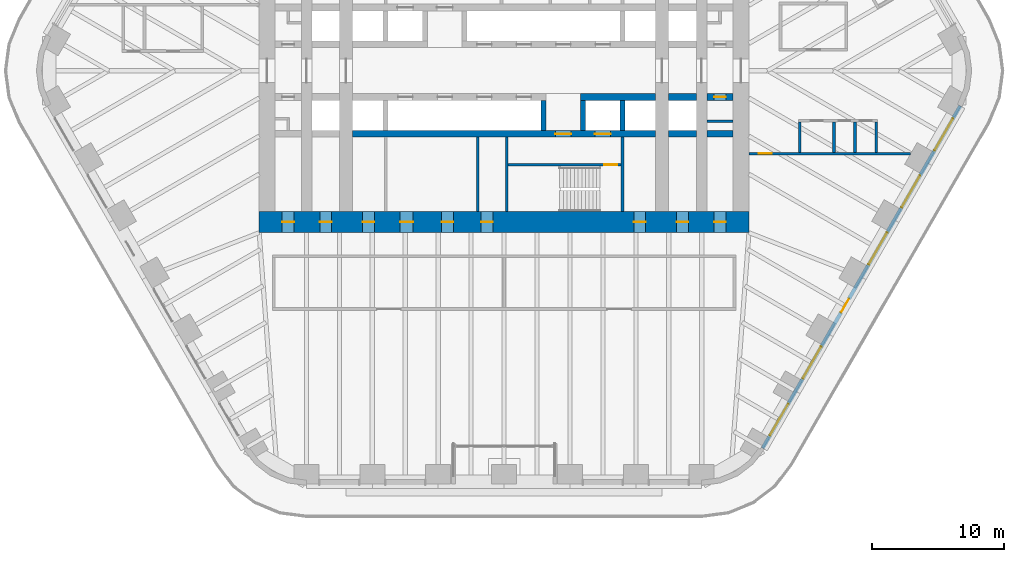
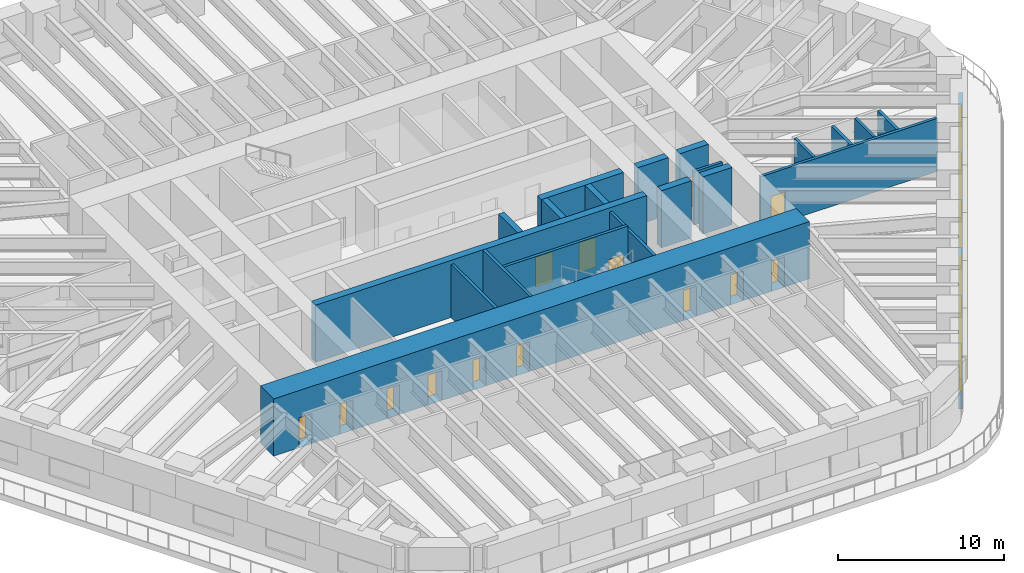
# One storey, part 13 of 19: 21 walls, 15 doors, 5 windows, 20 openings.
"""IFC4 building model written with IfcOpenShell, lengths in metres."""

from ifc_helpers import new_model, si_unit, direction, frame, frame_2d, origin, place, context, subcontext, project, spatial, rectangle, extrude, material, layer, layer_set, type_object, element, fill, save


model = new_model("IFC4")

# Units and contexts
model_context = context("Model", 3, precision=1e-05, world=origin(), true_north=direction((0.0, 1.0)))
body_context = subcontext(model_context, "Body", "Model", "MODEL_VIEW")
ifc_project = project(units=[si_unit("LENGTHUNIT", "METRE"), si_unit("AREAUNIT", "SQUARE_METRE"), si_unit("VOLUMEUNIT", "CUBIC_METRE"), si_unit("PLANEANGLEUNIT", "RADIAN"), si_unit("MASSUNIT", "GRAM", prefix="KILO")], contexts=[model_context])

# Site, building, storey
site_placement = place(None, origin())
site = spatial("IfcSite", under=ifc_project, at=site_placement, CompositionType="ELEMENT")
building_placement = place(site_placement, origin())
building = spatial("IfcBuilding", under=site, at=building_placement, Name="Tarfa Lantern Tower", CompositionType="ELEMENT")
storey_placement = place(building_placement, frame((0.0, 0.0, 199.300048828125)))
storey = spatial("IfcBuildingStorey", under=building, at=storey_placement, Name="L45", CompositionType="ELEMENT", Elevation=199.300048828125)

# Wall, openings, door, windows
ifc_material_1 = material(Name="Limestone cladding on blockwork", Category="masonry")
ifc_layer_1 = layer(ifc_material_1, 0.300048828125)
ifc_layer_set_1 = layer_set([ifc_layer_1], Name="EW1 STONE-CLAD WALL 300")
wall_type_1 = type_object("IfcWallType", Name="EW1 STONE-CLAD WALL 300", PredefinedType="SOLIDWALL", material=ifc_layer_set_1)
wall_1_placement = place(storey_placement, frame((19.644287109375, -28.675048828125, 0.0), z_axis=(0.0, 0.0, 1.0), x_axis=(0.500003084452, 0.866023622968, 0.0)))
wall_1 = element("IfcWall", 1, at=wall_1_placement, inside=storey, type_object=wall_type_1, Name="Stone wall SE", PredefinedType="SOLIDWALL", context=body_context, shape_type="SweptSolid", body=[
    extrude(rectangle(XDim=30.022216796875, YDim=0.300048828125, at=frame_2d((15.01123046875, 0.0))), origin(), (0.0, 0.0, 1.0), 2.199951171875),
])
opening_1_placement = place(wall_1_placement, frame((1.101806640625, 0.0, 0.60009765625)))
opening_1 = element("IfcOpeningElement", 2, at=opening_1_placement, cuts=wall_1, Name="Opening W10", PredefinedType="OPENING", context=body_context, shape_type="SweptSolid", body=[
    extrude(rectangle(XDim=2.800048828125, YDim=1.35009765625, at=frame_2d((1.39990234375, 0.675048828125))), frame((0.0, 0.159912109375, 0.0), z_axis=(0.0, -1.0, 0.0), x_axis=(1.0, 0.0, 0.0)), (0.0, 0.0, 1.0), 0.320068359375),
])
opening_2_placement = place(wall_1_placement, frame((6.10546875, 0.0, 0.60009765625)))
opening_2 = element("IfcOpeningElement", 3, at=opening_2_placement, cuts=wall_1, Name="Opening W10", PredefinedType="OPENING", context=body_context, shape_type="SweptSolid", body=[
    extrude(rectangle(XDim=2.800048828125, YDim=1.35009765625, at=frame_2d((1.39990234375, 0.675048828125))), frame((0.0, 0.159912109375, 0.0), z_axis=(0.0, -1.0, 0.0), x_axis=(1.0, 0.0, 0.0)), (0.0, 0.0, 1.0), 0.320068359375),
])
opening_3_placement = place(wall_1_placement, frame((11.9091796875, 0.0, 0.0)))
opening_3 = element("IfcOpeningElement", 4, at=opening_3_placement, cuts=wall_1, Name="Opening D50", PredefinedType="OPENING", context=body_context, shape_type="SweptSolid", body=[
    extrude(rectangle(XDim=1.199951171875, YDim=2.10009765625, at=frame_2d((0.60009765625, 1.050048828125))), frame((0.0, 0.159912109375, 0.0), z_axis=(0.0, -1.0, 0.0), x_axis=(1.0, 0.0, 0.0)), (0.0, 0.0, 1.0), 0.320068359375),
])
opening_4_placement = place(wall_1_placement, frame((16.113037109375, 0.0, 0.60009765625)))
opening_4 = element("IfcOpeningElement", 5, at=opening_4_placement, cuts=wall_1, Name="Opening W10", PredefinedType="OPENING", context=body_context, shape_type="SweptSolid", body=[
    extrude(rectangle(XDim=2.800048828125, YDim=1.35009765625, at=frame_2d((1.39990234375, 0.675048828125))), frame((0.0, 0.159912109375, 0.0), z_axis=(0.0, -1.0, 0.0), x_axis=(1.0, 0.0, 0.0)), (0.0, 0.0, 1.0), 0.320068359375),
])
opening_5_placement = place(wall_1_placement, frame((21.11669921875, 0.0, 0.60009765625)))
opening_5 = element("IfcOpeningElement", 6, at=opening_5_placement, cuts=wall_1, Name="Opening W10", PredefinedType="OPENING", context=body_context, shape_type="SweptSolid", body=[
    extrude(rectangle(XDim=2.800048828125, YDim=1.35009765625, at=frame_2d((1.39990234375, 0.675048828125))), frame((0.0, 0.159912109375, 0.0), z_axis=(0.0, -1.0, 0.0), x_axis=(1.0, 0.0, 0.0)), (0.0, 0.0, 1.0), 0.320068359375),
])
opening_6_placement = place(wall_1_placement, frame((26.120361328125, 0.0, 0.60009765625)))
opening_6 = element("IfcOpeningElement", 7, at=opening_6_placement, cuts=wall_1, Name="Opening W10", PredefinedType="OPENING", context=body_context, shape_type="SweptSolid", body=[
    extrude(rectangle(XDim=2.800048828125, YDim=1.35009765625, at=frame_2d((1.39990234375, 0.675048828125))), frame((0.0, 0.159912109375, 0.0), z_axis=(0.0, -1.0, 0.0), x_axis=(1.0, 0.0, 0.0)), (0.0, 0.0, 1.0), 0.320068359375),
])
ifc_material_2 = material(Name="Aluminium framed glazed door", Category="aluminium")
door_type_1 = type_object("IfcDoorType", Name="BE4 BALCONY DOOR 1200x2100", OperationType="SINGLE_SWING_RIGHT", PredefinedType="DOOR", material=ifc_material_2)
door_1_placement = place(opening_3_placement, origin())
door_1 = element("IfcDoor", 8, at=door_1_placement, inside=storey, type_object=door_type_1, Name="Balcony door SE", OperationType="SINGLE_SWING_RIGHT", OverallHeight=2.10009765625, OverallWidth=1.199951171875, PredefinedType="DOOR", context=body_context, shape_type="SweptSolid", body=[
    extrude(rectangle(XDim=1.199951171875, YDim=2.10009765625, at=frame_2d((0.60009765625, 1.050048828125))), frame((0.0, 0.02490234375, 0.0), z_axis=(0.0, -1.0, 0.0), x_axis=(1.0, 0.0, 0.0)), (0.0, 0.0, 1.0), 0.050048828125),
])
fill(opening_3, door_1)
ifc_material_3 = material(Name="Aluminium frame, double glazed", Category="aluminium")
window_type = type_object("IfcWindowType", Name="W10 FULL-HEIGHT GLAZING 2800x1350", PartitioningType="SINGLE_PANEL", PredefinedType="WINDOW", material=ifc_material_3)
window_1_placement = place(opening_1_placement, origin())
window_1 = element("IfcWindow", 9, at=window_1_placement, inside=storey, type_object=window_type, Name="Window SE 1", OverallHeight=1.35009765625, OverallWidth=2.800048828125, PartitioningType="SINGLE_PANEL", PredefinedType="WINDOW", context=body_context, shape_type="SweptSolid", body=[
    extrude(rectangle(XDim=2.800048828125, YDim=1.35009765625, at=frame_2d((1.39990234375, 0.675048828125))), frame((0.0, 0.030029296875, 0.0), z_axis=(0.0, -1.0, 0.0), x_axis=(1.0, 0.0, 0.0)), (0.0, 0.0, 1.0), 0.06005859375),
])
fill(opening_1, window_1)
window_2_placement = place(opening_2_placement, origin())
window_2 = element("IfcWindow", 10, at=window_2_placement, inside=storey, type_object=window_type, Name="Window SE 2", OverallHeight=1.35009765625, OverallWidth=2.800048828125, PartitioningType="SINGLE_PANEL", PredefinedType="WINDOW", context=body_context, shape_type="SweptSolid", body=[
    extrude(rectangle(XDim=2.800048828125, YDim=1.35009765625, at=frame_2d((1.39990234375, 0.675048828125))), frame((0.0, 0.030029296875, 0.0), z_axis=(0.0, -1.0, 0.0), x_axis=(1.0, 0.0, 0.0)), (0.0, 0.0, 1.0), 0.06005859375),
])
fill(opening_2, window_2)
window_3_placement = place(opening_4_placement, origin())
window_3 = element("IfcWindow", 11, at=window_3_placement, inside=storey, type_object=window_type, Name="Window SE 4", OverallHeight=1.35009765625, OverallWidth=2.800048828125, PartitioningType="SINGLE_PANEL", PredefinedType="WINDOW", context=body_context, shape_type="SweptSolid", body=[
    extrude(rectangle(XDim=2.800048828125, YDim=1.35009765625, at=frame_2d((1.39990234375, 0.675048828125))), frame((0.0, 0.030029296875, 0.0), z_axis=(0.0, -1.0, 0.0), x_axis=(1.0, 0.0, 0.0)), (0.0, 0.0, 1.0), 0.06005859375),
])
fill(opening_4, window_3)
window_4_placement = place(opening_5_placement, origin())
window_4 = element("IfcWindow", 12, at=window_4_placement, inside=storey, type_object=window_type, Name="Window SE 5", OverallHeight=1.35009765625, OverallWidth=2.800048828125, PartitioningType="SINGLE_PANEL", PredefinedType="WINDOW", context=body_context, shape_type="SweptSolid", body=[
    extrude(rectangle(XDim=2.800048828125, YDim=1.35009765625, at=frame_2d((1.39990234375, 0.675048828125))), frame((0.0, 0.030029296875, 0.0), z_axis=(0.0, -1.0, 0.0), x_axis=(1.0, 0.0, 0.0)), (0.0, 0.0, 1.0), 0.06005859375),
])
fill(opening_5, window_4)
window_5_placement = place(opening_6_placement, origin())
window_5 = element("IfcWindow", 13, at=window_5_placement, inside=storey, type_object=window_type, Name="Window SE 6", OverallHeight=1.35009765625, OverallWidth=2.800048828125, PartitioningType="SINGLE_PANEL", PredefinedType="WINDOW", context=body_context, shape_type="SweptSolid", body=[
    extrude(rectangle(XDim=2.800048828125, YDim=1.35009765625, at=frame_2d((1.39990234375, 0.675048828125))), frame((0.0, 0.030029296875, 0.0), z_axis=(0.0, -1.0, 0.0), x_axis=(1.0, 0.0, 0.0)), (0.0, 0.0, 1.0), 0.06005859375),
])
fill(opening_6, window_5)

# Walls
ifc_material_4 = material(Name="Concrete blockwork", Category="masonry")
ifc_layer_2 = layer(ifc_material_4, 0.199951171875)
ifc_layer_set_2 = layer_set([ifc_layer_2], Name="IW1 BLOCKWORK PARTITION 200 EI 120")
wall_type_2 = type_object("IfcWallType", Name="IW1 BLOCKWORK PARTITION 200 EI 120", PredefinedType="PARTITIONING", material=ifc_layer_set_2)
for number, where, z_axis, x_axis, name in (
    (14, (9.0, -5.050048828125, 0.0), (0.0, 0.0, 1.0), (0.0, -1.0, 0.0), "Core partition"),
    (15, (-2.0, -5.050048828125, 0.0), (0.0, 0.0, 1.0), (0.0, -1.0, 0.0), "Core partition"),
):
    element("IfcWall", number, at=place(storey_placement, frame(where, z_axis=z_axis, x_axis=x_axis)), inside=storey, type_object=wall_type_2, Name=name, PredefinedType="PARTITIONING", context=body_context, shape_type="SweptSolid", body=[
        extrude(rectangle(XDim=5.64990234375, YDim=0.199951171875, at=frame_2d((2.824951171875, 0.0))), origin(), (0.0, 0.0, 1.0), 3.89990234375),
    ])
wall_2_placement = place(storey_placement, frame((17.39990234375, -3.85009765625, 0.0), z_axis=(0.0, 0.0, 1.0), x_axis=(-1.0, 0.0, 0.0)))
element("IfcWall", 16, at=wall_2_placement, inside=storey, type_object=wall_type_2, Name="Core partition", PredefinedType="PARTITIONING", context=body_context, shape_type="SweptSolid", body=[
    extrude(rectangle(XDim=2.0, YDim=0.199951171875, at=frame_2d((1.0, 0.0))), origin(), (0.0, 0.0, 1.0), 3.89990234375),
])

# Wall, opening, door
ifc_material_5 = material(Name="Gypsum board on steel studs", Category="steel")
ifc_layer_3 = layer(ifc_material_5, 0.2099609375)
ifc_layer_set_3 = layer_set([ifc_layer_3], Name="IW2 ACOUSTIC PARTITION 200")
wall_type_3 = type_object("IfcWallType", Name="IW2 ACOUSTIC PARTITION 200", PredefinedType="PARTITIONING", material=ifc_layer_set_3)
wall_3_placement = place(storey_placement, frame((18.60009765625, -6.300048828125, 0.0), z_axis=(0.0, 0.0, 1.0), x_axis=(1.0, 0.0, 0.0)))
wall_3 = element("IfcWall", 17, at=wall_3_placement, inside=storey, type_object=wall_type_3, Name="Partition", PredefinedType="PARTITIONING", context=body_context, shape_type="SweptSolid", body=[
    extrude(rectangle(XDim=12.2880859375, YDim=0.199951171875, at=frame_2d((6.14404296875, 0.0))), origin(), (0.0, 0.0, 1.0), 3.89990234375),
])
opening_7_placement = place(wall_3_placement, frame((0.728759765625, 0.0, 0.0)))
opening_7 = element("IfcOpeningElement", 18, at=opening_7_placement, cuts=wall_3, Name="Opening D48", PredefinedType="OPENING", context=body_context, shape_type="SweptSolid", body=[
    extrude(rectangle(XDim=1.0, YDim=2.199951171875, at=frame_2d((0.5, 1.10009765625))), frame((0.0, 0.10986328125, 0.0), z_axis=(0.0, -1.0, 0.0), x_axis=(1.0, 0.0, 0.0)), (0.0, 0.0, 1.0), 0.219970703125),
])
ifc_material_6 = material(Name="Timber door", Category="wood")
door_type_2 = type_object("IfcDoorType", Name="DR1 ROOM DOOR 1000x2200", OperationType="SINGLE_SWING_LEFT", PredefinedType="DOOR", material=ifc_material_6)
door_2_placement = place(opening_7_placement, origin())
door_2 = element("IfcDoor", 19, at=door_2_placement, inside=storey, type_object=door_type_2, Name="Zone door", OperationType="SINGLE_SWING_RIGHT", OverallHeight=2.199951171875, OverallWidth=1.0, PredefinedType="DOOR", context=body_context, shape_type="SweptSolid", body=[
    extrude(rectangle(XDim=1.0, YDim=2.199951171875, at=frame_2d((0.5, 1.10009765625))), frame((0.0, 0.02490234375, 0.0), z_axis=(0.0, -1.0, 0.0), x_axis=(1.0, 0.0, 0.0)), (0.0, 0.0, 1.0), 0.050048828125),
])
fill(opening_7, door_2)

# Walls
for number, where, z_axis, x_axis, name in (
    (20, (22.45849609375, -6.199951171875, 0.0), (0.0, 0.0, 1.0), (0.0, 1.0, 0.0), "Partition"),
    (21, (25.05859375, -6.199951171875, 0.0), (0.0, 0.0, 1.0), (0.0, 1.0, 0.0), "Partition"),
    (22, (26.658447265625, -6.199951171875, 0.0), (0.0, 0.0, 1.0), (0.0, 1.0, 0.0), "Partition"),
    (23, (28.258544921875, -6.199951171875, 0.0), (0.0, 0.0, 1.0), (0.0, 1.0, 0.0), "Partition"),
):
    element("IfcWall", number, at=place(storey_placement, frame(where, z_axis=z_axis, x_axis=x_axis)), inside=storey, type_object=wall_type_3, Name=name, PredefinedType="PARTITIONING", context=body_context, shape_type="SweptSolid", body=[
        extrude(rectangle(XDim=2.300048828125, YDim=0.199951171875, at=frame_2d((1.14990234375, 0.0))), origin(), (0.0, 0.0, 1.0), 3.89990234375),
    ])
ifc_material_7 = material(Name="Concrete C80/95", Category="concrete")
ifc_layer_4 = layer(ifc_material_7, 0.199951171875)
ifc_layer_set_4 = layer_set([ifc_layer_4], Name="SW12 CORE WALL 200")
wall_type_4 = type_object("IfcWallType", Name="SW12 CORE WALL 200", PredefinedType="SHEAR", material=ifc_layer_set_4)
wall_4_placement = place(storey_placement, frame((0.199951171875, -5.050048828125, 0.0), z_axis=(0.0, 0.0, 1.0), x_axis=(0.0, -1.0, 0.0)))
element("IfcWall", 24, at=wall_4_placement, inside=storey, type_object=wall_type_4, Name="Core wall stair shaft S", PredefinedType="SHEAR", context=body_context, shape_type="SweptSolid", body=[
    extrude(rectangle(XDim=5.64990234375, YDim=0.199951171875, at=frame_2d((2.824951171875, 0.0))), origin(), (0.0, 0.0, 1.0), 4.199951171875),
])

# Wall, opening, door
wall_5_placement = place(storey_placement, frame((8.89990234375, -7.14990234375, 0.0), z_axis=(0.0, 0.0, 1.0), x_axis=(-1.0, 0.0, 0.0)))
wall_5 = element("IfcWall", 25, at=wall_5_placement, inside=storey, type_object=wall_type_4, Name="Core wall stair partition S", PredefinedType="SHEAR", context=body_context, shape_type="SweptSolid", body=[
    extrude(rectangle(XDim=8.599853515625, YDim=0.199951171875, at=frame_2d((4.2998046875, 0.0))), origin(), (0.0, 0.0, 1.0), 4.199951171875),
])
opening_8_placement = place(wall_5_placement, frame((0.300048828125, 0.0, 0.0)))
opening_8 = element("IfcOpeningElement", 26, at=opening_8_placement, cuts=wall_5, Name="Opening D28", PredefinedType="OPENING", context=body_context, shape_type="SweptSolid", body=[
    extrude(rectangle(XDim=1.0, YDim=2.199951171875, at=frame_2d((0.5, 1.10009765625))), frame((0.0, 0.10986328125, 0.0), z_axis=(0.0, -1.0, 0.0), x_axis=(1.0, 0.0, 0.0)), (0.0, 0.0, 1.0), 0.219970703125),
])
ifc_material_8 = material(Name="Steel fire door", Category="steel")
door_type_3 = type_object("IfcDoorType", Name="DF2 STAIR DOOR 1000x2200", OperationType="SINGLE_SWING_LEFT", PredefinedType="DOOR", material=ifc_material_8)
door_3_placement = place(opening_8_placement, origin())
door_3 = element("IfcDoor", 27, at=door_3_placement, inside=storey, type_object=door_type_3, Name="Stair door", OperationType="SINGLE_SWING_RIGHT", OverallHeight=2.199951171875, OverallWidth=1.0, PredefinedType="DOOR", context=body_context, shape_type="SweptSolid", body=[
    extrude(rectangle(XDim=1.0, YDim=2.199951171875, at=frame_2d((0.5, 1.10009765625))), frame((0.0, 0.02490234375, 0.0), z_axis=(0.0, -1.0, 0.0), x_axis=(1.0, 0.0, 0.0)), (0.0, 0.0, 1.0), 0.050048828125),
])
fill(opening_8, door_3)

ifc_layer_5 = layer(ifc_material_7, 0.5)
ifc_layer_set_5 = layer_set([ifc_layer_5], Name="SW5 CORE WALL 500")
wall_type_5 = type_object("IfcWallType", Name="SW5 CORE WALL 500", PredefinedType="SHEAR", material=ifc_layer_set_5)
wall_6_placement = place(storey_placement, frame((17.39990234375, -2.0, 0.0), z_axis=(0.0, 0.0, 1.0), x_axis=(-1.0, 0.0, 0.0)))
wall_6 = element("IfcWall", 28, at=wall_6_placement, inside=storey, type_object=wall_type_5, Name="Core wall lobby west S", PredefinedType="SHEAR", context=body_context, shape_type="SweptSolid", body=[
    extrude(rectangle(XDim=2.0, YDim=0.5, at=frame_2d((1.0, 0.0))), origin(), (0.0, 0.0, 1.0), 4.199951171875),
])
opening_9_placement = place(wall_6_placement, frame((0.550048828125, 0.0, 0.0)))
opening_9 = element("IfcOpeningElement", 29, at=opening_9_placement, cuts=wall_6, Name="Opening D20", PredefinedType="OPENING", context=body_context, shape_type="SweptSolid", body=[
    extrude(rectangle(XDim=0.89990234375, YDim=2.199951171875, at=frame_2d((0.449951171875, 1.10009765625))), frame((0.0, 0.260009765625, 0.0), z_axis=(0.0, -1.0, 0.0), x_axis=(1.0, 0.0, 0.0)), (0.0, 0.0, 1.0), 0.52001953125),
])
door_type_4 = type_object("IfcDoorType", Name="DF6 SERVICE ROOM DOOR 900x2200", OperationType="SINGLE_SWING_LEFT", PredefinedType="DOOR", material=ifc_material_8)
door_4_placement = place(opening_9_placement, origin())
door_4 = element("IfcDoor", 30, at=door_4_placement, inside=storey, type_object=door_type_4, Name="Service room door", OperationType="SINGLE_SWING_LEFT", OverallHeight=2.199951171875, OverallWidth=0.89990234375, PredefinedType="DOOR", context=body_context, shape_type="SweptSolid", body=[
    extrude(rectangle(XDim=0.89990234375, YDim=2.199951171875, at=frame_2d((0.449951171875, 1.10009765625))), frame((0.0, 0.02490234375, 0.0), z_axis=(0.0, -1.0, 0.0), x_axis=(1.0, 0.0, 0.0)), (0.0, 0.0, 1.0), 0.050048828125),
])
fill(opening_9, door_4)

# Walls
wall_7_placement = place(storey_placement, frame((14.60009765625, -2.0, 0.0), z_axis=(0.0, 0.0, 1.0), x_axis=(-1.0, 0.0, 0.0)))
element("IfcWall", 31, at=wall_7_placement, inside=storey, type_object=wall_type_5, Name="Core wall lobby west S", PredefinedType="SHEAR", context=body_context, shape_type="SweptSolid", body=[
    extrude(rectangle(XDim=2.10009765625, YDim=0.5, at=frame_2d((1.050048828125, 0.0))), origin(), (0.0, 0.0, 1.0), 4.199951171875),
])
wall_8_placement = place(storey_placement, frame((11.5, -2.0, 0.0), z_axis=(0.0, 0.0, 1.0), x_axis=(-1.0, 0.0, 0.0)))
element("IfcWall", 32, at=wall_8_placement, inside=storey, type_object=wall_type_5, Name="Core wall lobby west S", PredefinedType="SHEAR", context=body_context, shape_type="SweptSolid", body=[
    extrude(rectangle(XDim=5.699951171875, YDim=0.5, at=frame_2d((2.85009765625, 0.0))), origin(), (0.0, 0.0, 1.0), 4.199951171875),
])
wall_9_placement = place(storey_placement, frame((17.39990234375, -4.800048828125, 0.0), z_axis=(0.0, 0.0, 1.0), x_axis=(-1.0, 0.0, 0.0)))
element("IfcWall", 33, at=wall_9_placement, inside=storey, type_object=wall_type_5, Name="Core wall rear S", PredefinedType="SHEAR", context=body_context, shape_type="SweptSolid", body=[
    extrude(rectangle(XDim=2.0, YDim=0.5, at=frame_2d((1.0, 0.0))), origin(), (0.0, 0.0, 1.0), 4.199951171875),
])
wall_10_placement = place(storey_placement, frame((14.60009765625, -4.800048828125, 0.0), z_axis=(0.0, 0.0, 1.0), x_axis=(-1.0, 0.0, 0.0)))
element("IfcWall", 34, at=wall_10_placement, inside=storey, type_object=wall_type_5, Name="Core wall rear S", PredefinedType="SHEAR", context=body_context, shape_type="SweptSolid", body=[
    extrude(rectangle(XDim=2.10009765625, YDim=0.5, at=frame_2d((1.050048828125, 0.0))), origin(), (0.0, 0.0, 1.0), 4.199951171875),
])

# Wall, openings, doors
wall_11_placement = place(storey_placement, frame((11.5, -4.800048828125, 0.0), z_axis=(0.0, 0.0, 1.0), x_axis=(-1.0, 0.0, 0.0)))
wall_11 = element("IfcWall", 35, at=wall_11_placement, inside=storey, type_object=wall_type_5, Name="Core wall rear S", PredefinedType="SHEAR", context=body_context, shape_type="SweptSolid", body=[
    extrude(rectangle(XDim=23.0, YDim=0.5, at=frame_2d((11.5, 0.0))), origin(), (0.0, 0.0, 1.0), 4.199951171875),
])
opening_10_placement = place(wall_11_placement, frame((6.39990234375, 0.0, 0.0)))
opening_10 = element("IfcOpeningElement", 36, at=opening_10_placement, cuts=wall_11, Name="Opening D14", PredefinedType="OPENING", context=body_context, shape_type="SweptSolid", body=[
    extrude(rectangle(XDim=1.199951171875, YDim=2.199951171875, at=frame_2d((0.60009765625, 1.10009765625))), frame((0.0, 0.260009765625, 0.0), z_axis=(0.0, -1.0, 0.0), x_axis=(1.0, 0.0, 0.0)), (0.0, 0.0, 1.0), 0.52001953125),
])
opening_11_placement = place(wall_11_placement, frame((3.39990234375, 0.0, 0.0)))
opening_11 = element("IfcOpeningElement", 37, at=opening_11_placement, cuts=wall_11, Name="Opening LD02", PredefinedType="OPENING", context=body_context, shape_type="SweptSolid", body=[
    extrude(rectangle(XDim=1.199951171875, YDim=2.199951171875, at=frame_2d((0.60009765625, 1.10009765625))), frame((0.0, 0.260009765625, 0.0), z_axis=(0.0, -1.0, 0.0), x_axis=(1.0, 0.0, 0.0)), (0.0, 0.0, 1.0), 0.52001953125),
])
door_type_5 = type_object("IfcDoorType", Name="DF1 FIREFIGHTING LOBBY DOOR 1200x2200", OperationType="SINGLE_SWING_LEFT", PredefinedType="DOOR", material=ifc_material_8)
door_5_placement = place(opening_10_placement, origin())
door_5 = element("IfcDoor", 38, at=door_5_placement, inside=storey, type_object=door_type_5, Name="Firefighting lobby door", OperationType="SINGLE_SWING_LEFT", OverallHeight=2.199951171875, OverallWidth=1.199951171875, PredefinedType="DOOR", context=body_context, shape_type="SweptSolid", body=[
    extrude(rectangle(XDim=1.199951171875, YDim=2.199951171875, at=frame_2d((0.60009765625, 1.10009765625))), frame((0.0, 0.02490234375, 0.0), z_axis=(0.0, -1.0, 0.0), x_axis=(1.0, 0.0, 0.0)), (0.0, 0.0, 1.0), 0.050048828125),
])
fill(opening_10, door_5)
ifc_material_9 = material(Name="Stainless steel lift door", Category="steel")
door_type_6 = type_object("IfcDoorType", Name="LD1 LIFT LANDING DOOR 1200x2200", OperationType="SLIDING_TO_LEFT", PredefinedType="DOOR", material=ifc_material_9)
door_6_placement = place(opening_11_placement, origin())
door_6 = element("IfcDoor", 39, at=door_6_placement, inside=storey, type_object=door_type_6, Name="Landing door FL2", OperationType="SLIDING_TO_LEFT", OverallHeight=2.199951171875, OverallWidth=1.199951171875, PredefinedType="DOOR", context=body_context, shape_type="SweptSolid", body=[
    extrude(rectangle(XDim=1.199951171875, YDim=2.199951171875, at=frame_2d((0.60009765625, 1.10009765625))), frame((0.0, 0.02490234375, 0.0), z_axis=(0.0, -1.0, 0.0), x_axis=(1.0, 0.0, 0.0)), (0.0, 0.0, 1.0), 0.050048828125),
])
fill(opening_11, door_6)

# Walls
ifc_layer_6 = layer(ifc_material_7, 0.39990234375)
ifc_layer_set_6 = layer_set([ifc_layer_6], Name="SW6 CORE WALL 400")
wall_type_6 = type_object("IfcWallType", Name="SW6 CORE WALL 400", PredefinedType="SHEAR", material=ifc_layer_set_6)
for number, where, z_axis, x_axis, name in (
    (40, (9.0, -2.25, 0.0), (0.0, 0.0, 1.0), (0.0, -1.0, 0.0), "Core wall divider S"),
    (41, (6.0, -2.25, 0.0), (0.0, 0.0, 1.0), (0.0, -1.0, 0.0), "Core wall divider S"),
    (42, (3.0, -2.25, 0.0), (0.0, 0.0, 1.0), (0.0, -1.0, 0.0), "Core wall divider S"),
):
    element("IfcWall", number, at=place(storey_placement, frame(where, z_axis=z_axis, x_axis=x_axis)), inside=storey, type_object=wall_type_6, Name=name, PredefinedType="SHEAR", context=body_context, shape_type="SweptSolid", body=[
        extrude(rectangle(XDim=2.300048828125, YDim=0.39990234375, at=frame_2d((1.14990234375, 0.0))), origin(), (0.0, 0.0, 1.0), 4.199951171875),
    ])

# Wall, openings, doors
ifc_layer_7 = layer(ifc_material_7, 1.60009765625)
ifc_layer_set_7 = layer_set([ifc_layer_7], Name="SW7 CORE WALL 1600")
wall_type_7 = type_object("IfcWallType", Name="SW7 CORE WALL 1600", PredefinedType="SHEAR", material=ifc_layer_set_7)
wall_12_placement = place(storey_placement, frame((18.60009765625, -11.5, 0.0), z_axis=(0.0, 0.0, 1.0), x_axis=(-1.0, 0.0, 0.0)))
wall_12 = element("IfcWall", 43, at=wall_12_placement, inside=storey, type_object=wall_type_7, Name="Core wall S", PredefinedType="SHEAR", context=body_context, shape_type="SweptSolid", body=[
    extrude(rectangle(XDim=37.2001953125, YDim=1.60009765625, at=frame_2d((18.60009765625, 0.0))), origin(), (0.0, 0.0, 1.0), 4.199951171875),
])
opening_12_placement = place(wall_12_placement, frame((19.449951171875, 0.0, 0.0)))
opening_12 = element("IfcOpeningElement", 44, at=opening_12_placement, cuts=wall_12, Name="Opening D22", PredefinedType="OPENING", context=body_context, shape_type="SweptSolid", body=[
    extrude(rectangle(XDim=0.89990234375, YDim=2.199951171875, at=frame_2d((0.449951171875, 1.10009765625))), frame((0.0, 0.81005859375, 0.0), z_axis=(0.0, -1.0, 0.0), x_axis=(1.0, 0.0, 0.0)), (0.0, 0.0, 1.0), 1.6201171875),
])
opening_13_placement = place(wall_12_placement, frame((22.449951171875, 0.0, 0.0)))
opening_13 = element("IfcOpeningElement", 45, at=opening_13_placement, cuts=wall_12, Name="Opening D24", PredefinedType="OPENING", context=body_context, shape_type="SweptSolid", body=[
    extrude(rectangle(XDim=0.89990234375, YDim=2.199951171875, at=frame_2d((0.449951171875, 1.10009765625))), frame((0.0, 0.81005859375, 0.0), z_axis=(0.0, -1.0, 0.0), x_axis=(1.0, 0.0, 0.0)), (0.0, 0.0, 1.0), 1.6201171875),
])
opening_14_placement = place(wall_12_placement, frame((25.5, 0.0, 0.0)))
opening_14 = element("IfcOpeningElement", 46, at=opening_14_placement, cuts=wall_12, Name="Opening D26", PredefinedType="OPENING", context=body_context, shape_type="SweptSolid", body=[
    extrude(rectangle(XDim=1.0, YDim=2.199951171875, at=frame_2d((0.5, 1.10009765625))), frame((0.0, 0.81005859375, 0.0), z_axis=(0.0, -1.0, 0.0), x_axis=(1.0, 0.0, 0.0)), (0.0, 0.0, 1.0), 1.6201171875),
])
opening_15_placement = place(wall_12_placement, frame((1.75, 0.0, 0.0)))
opening_15 = element("IfcOpeningElement", 47, at=opening_15_placement, cuts=wall_12, Name="Opening D12", PredefinedType="OPENING", context=body_context, shape_type="SweptSolid", body=[
    extrude(rectangle(XDim=0.89990234375, YDim=2.199951171875, at=frame_2d((0.449951171875, 1.10009765625))), frame((0.0, 0.81005859375, 0.0), z_axis=(0.0, -1.0, 0.0), x_axis=(1.0, 0.0, 0.0)), (0.0, 0.0, 1.0), 1.6201171875),
])
opening_16_placement = place(wall_12_placement, frame((4.60009765625, 0.0, 0.0)))
opening_16 = element("IfcOpeningElement", 48, at=opening_16_placement, cuts=wall_12, Name="Opening D08", PredefinedType="OPENING", context=body_context, shape_type="SweptSolid", body=[
    extrude(rectangle(XDim=0.89990234375, YDim=2.199951171875, at=frame_2d((0.449951171875, 1.10009765625))), frame((0.0, 0.81005859375, 0.0), z_axis=(0.0, -1.0, 0.0), x_axis=(1.0, 0.0, 0.0)), (0.0, 0.0, 1.0), 1.6201171875),
])
opening_17_placement = place(wall_12_placement, frame((7.85009765625, 0.0, 0.0)))
opening_17 = element("IfcOpeningElement", 49, at=opening_17_placement, cuts=wall_12, Name="Opening D10", PredefinedType="OPENING", context=body_context, shape_type="SweptSolid", body=[
    extrude(rectangle(XDim=0.89990234375, YDim=2.199951171875, at=frame_2d((0.449951171875, 1.10009765625))), frame((0.0, 0.81005859375, 0.0), z_axis=(0.0, -1.0, 0.0), x_axis=(1.0, 0.0, 0.0)), (0.0, 0.0, 1.0), 1.6201171875),
])
opening_18_placement = place(wall_12_placement, frame((28.449951171875, 0.0, 0.0)))
opening_18 = element("IfcOpeningElement", 50, at=opening_18_placement, cuts=wall_12, Name="Opening D06", PredefinedType="OPENING", context=body_context, shape_type="SweptSolid", body=[
    extrude(rectangle(XDim=0.89990234375, YDim=2.199951171875, at=frame_2d((0.449951171875, 1.10009765625))), frame((0.0, 0.81005859375, 0.0), z_axis=(0.0, -1.0, 0.0), x_axis=(1.0, 0.0, 0.0)), (0.0, 0.0, 1.0), 1.6201171875),
])
opening_19_placement = place(wall_12_placement, frame((31.699951171875, 0.0, 0.0)))
opening_19 = element("IfcOpeningElement", 51, at=opening_19_placement, cuts=wall_12, Name="Opening D02", PredefinedType="OPENING", context=body_context, shape_type="SweptSolid", body=[
    extrude(rectangle(XDim=0.89990234375, YDim=2.199951171875, at=frame_2d((0.449951171875, 1.10009765625))), frame((0.0, 0.81005859375, 0.0), z_axis=(0.0, -1.0, 0.0), x_axis=(1.0, 0.0, 0.0)), (0.0, 0.0, 1.0), 1.6201171875),
])
opening_20_placement = place(wall_12_placement, frame((34.550048828125, 0.0, 0.0)))
opening_20 = element("IfcOpeningElement", 52, at=opening_20_placement, cuts=wall_12, Name="Opening D04", PredefinedType="OPENING", context=body_context, shape_type="SweptSolid", body=[
    extrude(rectangle(XDim=0.89990234375, YDim=2.199951171875, at=frame_2d((0.449951171875, 1.10009765625))), frame((0.0, 0.81005859375, 0.0), z_axis=(0.0, -1.0, 0.0), x_axis=(1.0, 0.0, 0.0)), (0.0, 0.0, 1.0), 1.6201171875),
])
door_type_7 = type_object("IfcDoorType", Name="DF3 CORE ROOM DOOR 900x2200", OperationType="SINGLE_SWING_LEFT", PredefinedType="DOOR", material=ifc_material_8)
door_7_placement = place(opening_12_placement, frame((0.89990234375, 0.0, 0.0), z_axis=(0.0, 0.0, 1.0), x_axis=(-1.0, 0.0, 0.0)))
door_7 = element("IfcDoor", 53, at=door_7_placement, inside=storey, type_object=door_type_7, Name="Core door", OperationType="SINGLE_SWING_RIGHT", OverallHeight=2.199951171875, OverallWidth=0.89990234375, PredefinedType="DOOR", context=body_context, shape_type="SweptSolid", body=[
    extrude(rectangle(XDim=0.89990234375, YDim=2.199951171875, at=frame_2d((0.449951171875, 1.10009765625))), frame((0.0, 0.02490234375, 0.0), z_axis=(0.0, -1.0, 0.0), x_axis=(1.0, 0.0, 0.0)), (0.0, 0.0, 1.0), 0.050048828125),
])
fill(opening_12, door_7)
door_8_placement = place(opening_13_placement, frame((0.89990234375, 0.0, 0.0), z_axis=(0.0, 0.0, 1.0), x_axis=(-1.0, 0.0, 0.0)))
door_8 = element("IfcDoor", 54, at=door_8_placement, inside=storey, type_object=door_type_7, Name="Core door", OperationType="SINGLE_SWING_LEFT", OverallHeight=2.199951171875, OverallWidth=0.89990234375, PredefinedType="DOOR", context=body_context, shape_type="SweptSolid", body=[
    extrude(rectangle(XDim=0.89990234375, YDim=2.199951171875, at=frame_2d((0.449951171875, 1.10009765625))), frame((0.0, 0.02490234375, 0.0), z_axis=(0.0, -1.0, 0.0), x_axis=(1.0, 0.0, 0.0)), (0.0, 0.0, 1.0), 0.050048828125),
])
fill(opening_13, door_8)
door_type_8 = type_object("IfcDoorType", Name="DF4 CORE ROOM DOOR 1000x2200", OperationType="SINGLE_SWING_LEFT", PredefinedType="DOOR", material=ifc_material_8)
door_9_placement = place(opening_14_placement, frame((1.0, 0.0, 0.0), z_axis=(0.0, 0.0, 1.0), x_axis=(-1.0, 0.0, 0.0)))
door_9 = element("IfcDoor", 55, at=door_9_placement, inside=storey, type_object=door_type_8, Name="Core door", OperationType="SINGLE_SWING_RIGHT", OverallHeight=2.199951171875, OverallWidth=1.0, PredefinedType="DOOR", context=body_context, shape_type="SweptSolid", body=[
    extrude(rectangle(XDim=1.0, YDim=2.199951171875, at=frame_2d((0.5, 1.10009765625))), frame((0.0, 0.02490234375, 0.0), z_axis=(0.0, -1.0, 0.0), x_axis=(1.0, 0.0, 0.0)), (0.0, 0.0, 1.0), 0.050048828125),
])
fill(opening_14, door_9)
door_type_9 = type_object("IfcDoorType", Name="DF5 RISER DOOR 900x2200", OperationType="SINGLE_SWING_LEFT", PredefinedType="DOOR", material=ifc_material_8)
door_10_placement = place(opening_15_placement, frame((0.89990234375, 0.0, 0.0), z_axis=(0.0, 0.0, 1.0), x_axis=(-1.0, 0.0, 0.0)))
door_10 = element("IfcDoor", 56, at=door_10_placement, inside=storey, type_object=door_type_9, Name="Riser door", OperationType="SINGLE_SWING_LEFT", OverallHeight=2.199951171875, OverallWidth=0.89990234375, PredefinedType="DOOR", context=body_context, shape_type="SweptSolid", body=[
    extrude(rectangle(XDim=0.89990234375, YDim=2.199951171875, at=frame_2d((0.449951171875, 1.10009765625))), frame((0.0, 0.02490234375, 0.0), z_axis=(0.0, -1.0, 0.0), x_axis=(1.0, 0.0, 0.0)), (0.0, 0.0, 1.0), 0.050048828125),
])
fill(opening_15, door_10)
door_11_placement = place(opening_16_placement, frame((0.89990234375, 0.0, 0.0), z_axis=(0.0, 0.0, 1.0), x_axis=(-1.0, 0.0, 0.0)))
door_11 = element("IfcDoor", 57, at=door_11_placement, inside=storey, type_object=door_type_9, Name="Riser door", OperationType="SINGLE_SWING_LEFT", OverallHeight=2.199951171875, OverallWidth=0.89990234375, PredefinedType="DOOR", context=body_context, shape_type="SweptSolid", body=[
    extrude(rectangle(XDim=0.89990234375, YDim=2.199951171875, at=frame_2d((0.449951171875, 1.10009765625))), frame((0.0, 0.02490234375, 0.0), z_axis=(0.0, -1.0, 0.0), x_axis=(1.0, 0.0, 0.0)), (0.0, 0.0, 1.0), 0.050048828125),
])
fill(opening_16, door_11)
door_12_placement = place(opening_17_placement, frame((0.89990234375, 0.0, 0.0), z_axis=(0.0, 0.0, 1.0), x_axis=(-1.0, 0.0, 0.0)))
door_12 = element("IfcDoor", 58, at=door_12_placement, inside=storey, type_object=door_type_9, Name="Riser door", OperationType="SINGLE_SWING_LEFT", OverallHeight=2.199951171875, OverallWidth=0.89990234375, PredefinedType="DOOR", context=body_context, shape_type="SweptSolid", body=[
    extrude(rectangle(XDim=0.89990234375, YDim=2.199951171875, at=frame_2d((0.449951171875, 1.10009765625))), frame((0.0, 0.02490234375, 0.0), z_axis=(0.0, -1.0, 0.0), x_axis=(1.0, 0.0, 0.0)), (0.0, 0.0, 1.0), 0.050048828125),
])
fill(opening_17, door_12)
door_13_placement = place(opening_18_placement, frame((0.89990234375, 0.0, 0.0), z_axis=(0.0, 0.0, 1.0), x_axis=(-1.0, 0.0, 0.0)))
door_13 = element("IfcDoor", 59, at=door_13_placement, inside=storey, type_object=door_type_9, Name="Riser door", OperationType="SINGLE_SWING_RIGHT", OverallHeight=2.199951171875, OverallWidth=0.89990234375, PredefinedType="DOOR", context=body_context, shape_type="SweptSolid", body=[
    extrude(rectangle(XDim=0.89990234375, YDim=2.199951171875, at=frame_2d((0.449951171875, 1.10009765625))), frame((0.0, 0.02490234375, 0.0), z_axis=(0.0, -1.0, 0.0), x_axis=(1.0, 0.0, 0.0)), (0.0, 0.0, 1.0), 0.050048828125),
])
fill(opening_18, door_13)
door_14_placement = place(opening_19_placement, frame((0.89990234375, 0.0, 0.0), z_axis=(0.0, 0.0, 1.0), x_axis=(-1.0, 0.0, 0.0)))
door_14 = element("IfcDoor", 60, at=door_14_placement, inside=storey, type_object=door_type_9, Name="Riser door", OperationType="SINGLE_SWING_RIGHT", OverallHeight=2.199951171875, OverallWidth=0.89990234375, PredefinedType="DOOR", context=body_context, shape_type="SweptSolid", body=[
    extrude(rectangle(XDim=0.89990234375, YDim=2.199951171875, at=frame_2d((0.449951171875, 1.10009765625))), frame((0.0, 0.02490234375, 0.0), z_axis=(0.0, -1.0, 0.0), x_axis=(1.0, 0.0, 0.0)), (0.0, 0.0, 1.0), 0.050048828125),
])
fill(opening_19, door_14)
door_15_placement = place(opening_20_placement, frame((0.89990234375, 0.0, 0.0), z_axis=(0.0, 0.0, 1.0), x_axis=(-1.0, 0.0, 0.0)))
door_15 = element("IfcDoor", 61, at=door_15_placement, inside=storey, type_object=door_type_9, Name="Riser door", OperationType="SINGLE_SWING_RIGHT", OverallHeight=2.199951171875, OverallWidth=0.89990234375, PredefinedType="DOOR", context=body_context, shape_type="SweptSolid", body=[
    extrude(rectangle(XDim=0.89990234375, YDim=2.199951171875, at=frame_2d((0.449951171875, 1.10009765625))), frame((0.0, 0.02490234375, 0.0), z_axis=(0.0, -1.0, 0.0), x_axis=(1.0, 0.0, 0.0)), (0.0, 0.0, 1.0), 0.050048828125),
])
fill(opening_20, door_15)

save(model, "model.ifc")
